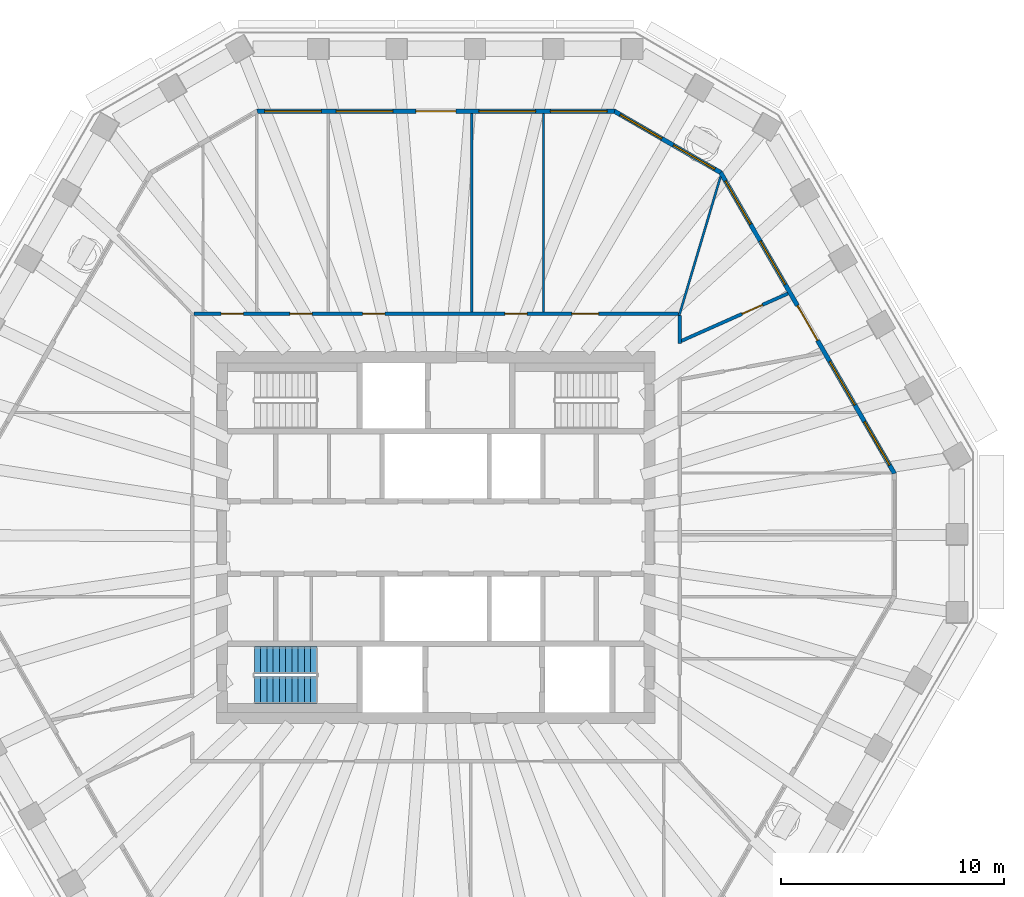
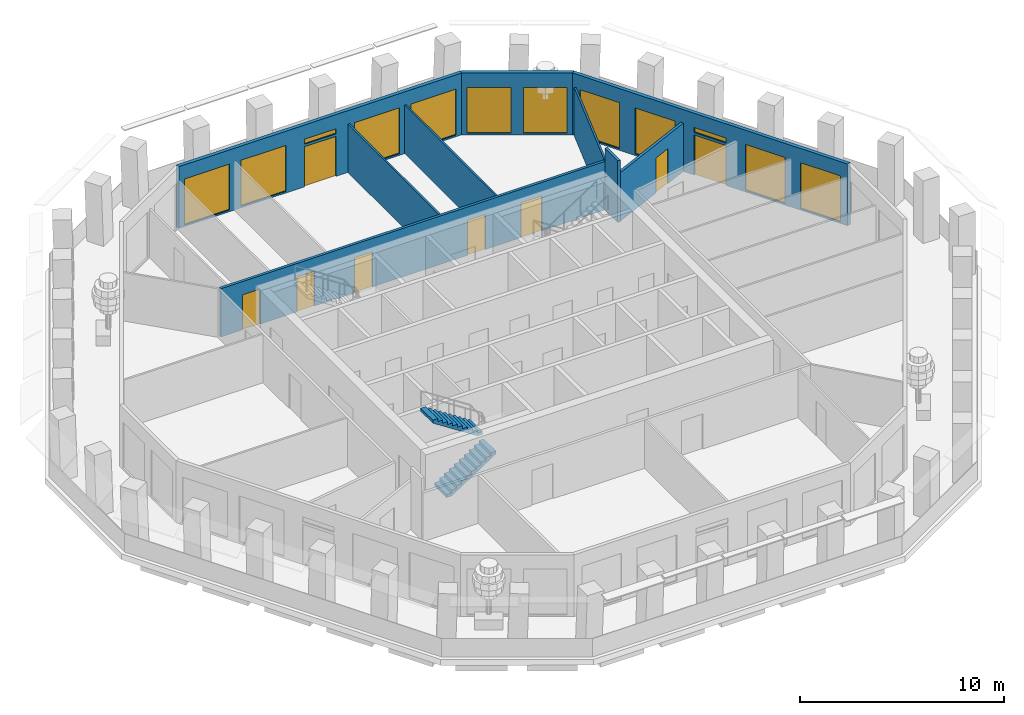
# One storey, part 7 of 12: 12 windows, 9 walls, 8 doors, 2 stair flights, 20 openings, 1 element without a shape of its own.
"""IFC4 building model written with IfcOpenShell, lengths in metres."""

from ifc_helpers import new_model, si_unit, direction, frame, frame_2d, origin, place, context, subcontext, project, spatial, polyline, rectangle, outline, extrude, material, layer, layer_set, type_object, element, fill, aggregate, save


model = new_model("IFC4")

# Units and contexts
model_context = context("Model", 3, precision=1e-05, world=origin(), true_north=direction((0.0, 1.0)))
body_context = subcontext(model_context, "Body", "Model", "MODEL_VIEW")
ifc_project = project(units=[si_unit("LENGTHUNIT", "METRE"), si_unit("AREAUNIT", "SQUARE_METRE"), si_unit("VOLUMEUNIT", "CUBIC_METRE"), si_unit("PLANEANGLEUNIT", "RADIAN"), si_unit("MASSUNIT", "GRAM", prefix="KILO")], contexts=[model_context])

# Site, building, storey
site_placement = place(None, origin())
site = spatial("IfcSite", under=ifc_project, at=site_placement, CompositionType="ELEMENT")
building_placement = place(site_placement, origin())
building = spatial("IfcBuilding", under=site, at=building_placement, Name="Frailejon Research Tower", CompositionType="ELEMENT")
storey_placement = place(building_placement, frame((0.0, 0.0, 267.0)))
storey = spatial("IfcBuildingStorey", under=building, at=storey_placement, Name="L58", CompositionType="ELEMENT", Elevation=267.0)

# Wall, opening, door
ifc_material_1 = material(Name="Gypsum board and masonry partition", Category="masonry")
ifc_layer_1 = layer(ifc_material_1, 0.14990234375)
ifc_layer_set_1 = layer_set([ifc_layer_1], Name="Corridor wall EI 60, gypsum on steel studs 150")
wall_type_1 = type_object("IfcWallType", Name="Corridor wall EI 60, gypsum on steel studs 150", PredefinedType="PARTITIONING", material=ifc_layer_set_1)
wall_1_placement = place(storey_placement, frame((11.0185546875, 8.83056640625, 0.0), z_axis=(0.0, 0.0, 1.0), x_axis=(0.91370022721, 0.406388846792, 0.0)))
wall_1 = element("IfcWall", 1, at=wall_1_placement, inside=storey, type_object=wall_type_1, Name="T:IW:L58:002", PredefinedType="PARTITIONING", context=body_context, shape_type="SweptSolid", body=[
    extrude(rectangle(XDim=5.2470703125, YDim=0.14990234375, at=frame_2d((2.62353515625, 0.0))), origin(), (0.0, 0.0, 1.0), 2.89990234375),
])
opening_1_placement = place(wall_1_placement, frame((2.99169921875, 0.0, 0.0)))
opening_1 = element("IfcOpeningElement", 2, at=opening_1_placement, cuts=wall_1, Name="Opening D2114", PredefinedType="OPENING", context=body_context, shape_type="SweptSolid", body=[
    extrude(rectangle(XDim=1.0, YDim=2.10009765625, at=frame_2d((0.5, 1.050048828125))), frame((0.0, 0.0849609375, 0.0), z_axis=(0.0, -1.0, 0.0), x_axis=(1.0, 0.0, 0.0)), (0.0, 0.0, 1.0), 0.169921875),
])
ifc_material_2 = material(Name="Timber door leaf", Category="wood")
door_type_1 = type_object("IfcDoorType", Name="Door single leaf, timber, steel frame 1000", OperationType="NOTDEFINED", PredefinedType="DOOR", material=ifc_material_2)
door_1_placement = place(opening_1_placement, origin())
door_1 = element("IfcDoor", 3, at=door_1_placement, inside=storey, type_object=door_type_1, Name="D2114", OperationType="SINGLE_SWING_LEFT", OverallHeight=2.10009765625, OverallWidth=1.0, PredefinedType="DOOR", context=body_context, shape_type="SweptSolid", body=[
    extrude(rectangle(XDim=1.0, YDim=2.10009765625, at=frame_2d((0.5, 1.050048828125))), frame((0.0, 0.02490234375, 0.0), z_axis=(0.0, -1.0, 0.0), x_axis=(1.0, 0.0, 0.0)), (0.0, 0.0, 1.0), 0.050048828125),
])
fill(opening_1, door_1)

# Wall
wall_2_placement = place(storey_placement, frame((10.949951171875, 8.72509765625, 0.0), z_axis=(0.0, 0.0, 1.0), x_axis=(0.0, 1.0, 0.0)))
element("IfcWall", 4, at=wall_2_placement, inside=storey, type_object=wall_type_1, Name="T:IW:L58:004", PredefinedType="PARTITIONING", context=body_context, shape_type="SweptSolid", body=[
    extrude(rectangle(XDim=1.25, YDim=0.14990234375, at=frame_2d((0.625, 0.0))), origin(), (0.0, 0.0, 1.0), 3.699951171875),
])

# Wall, openings, doors
wall_3_placement = place(storey_placement, frame((-10.875, 10.050048828125, 0.0), z_axis=(0.0, 0.0, 1.0), x_axis=(1.0, 0.0, 0.0)))
wall_3 = element("IfcWall", 5, at=wall_3_placement, inside=storey, type_object=wall_type_1, Name="T:IW:L58:005", PredefinedType="PARTITIONING", context=body_context, shape_type="SweptSolid", body=[
    extrude(rectangle(XDim=21.77490234375, YDim=0.14990234375, at=frame_2d((10.887451171875, 0.0))), origin(), (0.0, 0.0, 1.0), 2.89990234375),
])
opening_2_placement = place(wall_3_placement, frame((16.987060546875, 0.0, 0.0)))
opening_2 = element("IfcOpeningElement", 6, at=opening_2_placement, cuts=wall_3, Name="Opening D2115", PredefinedType="OPENING", context=body_context, shape_type="SweptSolid", body=[
    extrude(rectangle(XDim=1.199951171875, YDim=2.10009765625, at=frame_2d((0.60009765625, 1.050048828125))), frame((0.0, 0.0849609375, 0.0), z_axis=(0.0, -1.0, 0.0), x_axis=(1.0, 0.0, 0.0)), (0.0, 0.0, 1.0), 0.169921875),
])
opening_3_placement = place(wall_3_placement, frame((13.975341796875, 0.0, 0.0)))
opening_3 = element("IfcOpeningElement", 7, at=opening_3_placement, cuts=wall_3, Name="Opening D2116", PredefinedType="OPENING", context=body_context, shape_type="SweptSolid", body=[
    extrude(rectangle(XDim=1.0, YDim=2.10009765625, at=frame_2d((0.5, 1.050048828125))), frame((0.0, 0.0849609375, 0.0), z_axis=(0.0, -1.0, 0.0), x_axis=(1.0, 0.0, 0.0)), (0.0, 0.0, 1.0), 0.169921875),
])
opening_4_placement = place(wall_3_placement, frame((7.57958984375, 0.0, 0.0)))
opening_4 = element("IfcOpeningElement", 8, at=opening_4_placement, cuts=wall_3, Name="Opening D2117", PredefinedType="OPENING", context=body_context, shape_type="SweptSolid", body=[
    extrude(rectangle(XDim=1.0, YDim=2.10009765625, at=frame_2d((0.5, 1.050048828125))), frame((0.0, 0.0849609375, 0.0), z_axis=(0.0, -1.0, 0.0), x_axis=(1.0, 0.0, 0.0)), (0.0, 0.0, 1.0), 0.169921875),
])
opening_5_placement = place(wall_3_placement, frame((4.314453125, 0.0, 0.0)))
opening_5 = element("IfcOpeningElement", 9, at=opening_5_placement, cuts=wall_3, Name="Opening D2118", PredefinedType="OPENING", context=body_context, shape_type="SweptSolid", body=[
    extrude(rectangle(XDim=1.0, YDim=2.10009765625, at=frame_2d((0.5, 1.050048828125))), frame((0.0, 0.0849609375, 0.0), z_axis=(0.0, -1.0, 0.0), x_axis=(1.0, 0.0, 0.0)), (0.0, 0.0, 1.0), 0.169921875),
])
opening_6_placement = place(wall_3_placement, frame((1.22705078125, 0.0, 0.0)))
opening_6 = element("IfcOpeningElement", 10, at=opening_6_placement, cuts=wall_3, Name="Opening D2119", PredefinedType="OPENING", context=body_context, shape_type="SweptSolid", body=[
    extrude(rectangle(XDim=1.0, YDim=2.10009765625, at=frame_2d((0.5, 1.050048828125))), frame((0.0, 0.0849609375, 0.0), z_axis=(0.0, -1.0, 0.0), x_axis=(1.0, 0.0, 0.0)), (0.0, 0.0, 1.0), 0.169921875),
])
door_2_placement = place(opening_3_placement, origin())
door_2 = element("IfcDoor", 11, at=door_2_placement, inside=storey, type_object=door_type_1, Name="D2116", OperationType="SINGLE_SWING_LEFT", OverallHeight=2.10009765625, OverallWidth=1.0, PredefinedType="DOOR", context=body_context, shape_type="SweptSolid", body=[
    extrude(rectangle(XDim=1.0, YDim=2.10009765625, at=frame_2d((0.5, 1.050048828125))), frame((0.0, 0.02490234375, 0.0), z_axis=(0.0, -1.0, 0.0), x_axis=(1.0, 0.0, 0.0)), (0.0, 0.0, 1.0), 0.050048828125),
])
fill(opening_3, door_2)
door_3_placement = place(opening_4_placement, origin())
door_3 = element("IfcDoor", 12, at=door_3_placement, inside=storey, type_object=door_type_1, Name="D2117", OperationType="SINGLE_SWING_RIGHT", OverallHeight=2.10009765625, OverallWidth=1.0, PredefinedType="DOOR", context=body_context, shape_type="SweptSolid", body=[
    extrude(rectangle(XDim=1.0, YDim=2.10009765625, at=frame_2d((0.5, 1.050048828125))), frame((0.0, 0.02490234375, 0.0), z_axis=(0.0, -1.0, 0.0), x_axis=(1.0, 0.0, 0.0)), (0.0, 0.0, 1.0), 0.050048828125),
])
fill(opening_4, door_3)
door_4_placement = place(opening_5_placement, origin())
door_4 = element("IfcDoor", 13, at=door_4_placement, inside=storey, type_object=door_type_1, Name="D2118", OperationType="SINGLE_SWING_RIGHT", OverallHeight=2.10009765625, OverallWidth=1.0, PredefinedType="DOOR", context=body_context, shape_type="SweptSolid", body=[
    extrude(rectangle(XDim=1.0, YDim=2.10009765625, at=frame_2d((0.5, 1.050048828125))), frame((0.0, 0.02490234375, 0.0), z_axis=(0.0, -1.0, 0.0), x_axis=(1.0, 0.0, 0.0)), (0.0, 0.0, 1.0), 0.050048828125),
])
fill(opening_5, door_4)
door_5_placement = place(opening_6_placement, origin())
door_5 = element("IfcDoor", 14, at=door_5_placement, inside=storey, type_object=door_type_1, Name="D2119", OperationType="SINGLE_SWING_RIGHT", OverallHeight=2.10009765625, OverallWidth=1.0, PredefinedType="DOOR", context=body_context, shape_type="SweptSolid", body=[
    extrude(rectangle(XDim=1.0, YDim=2.10009765625, at=frame_2d((0.5, 1.050048828125))), frame((0.0, 0.02490234375, 0.0), z_axis=(0.0, -1.0, 0.0), x_axis=(1.0, 0.0, 0.0)), (0.0, 0.0, 1.0), 0.050048828125),
])
fill(opening_6, door_5)
ifc_material_3 = material(Name="Timber door leaf", Category="wood")
door_type_2 = type_object("IfcDoorType", Name="Door single leaf, timber, steel frame 1200", OperationType="NOTDEFINED", PredefinedType="DOOR", material=ifc_material_3)
door_6_placement = place(opening_2_placement, origin())
door_6 = element("IfcDoor", 15, at=door_6_placement, inside=storey, type_object=door_type_2, Name="D2115", OperationType="DOUBLE_DOOR_SINGLE_SWING", OverallHeight=2.10009765625, OverallWidth=1.199951171875, PredefinedType="DOOR", context=body_context, shape_type="SweptSolid", body=[
    extrude(rectangle(XDim=1.199951171875, YDim=2.10009765625, at=frame_2d((0.60009765625, 1.050048828125))), frame((0.0, 0.02490234375, 0.0), z_axis=(0.0, -1.0, 0.0), x_axis=(1.0, 0.0, 0.0)), (0.0, 0.0, 1.0), 0.050048828125),
])
fill(opening_2, door_6)

# Walls
ifc_material_4 = material(Name="Gypsum board and masonry partition", Category="masonry")
ifc_layer_2 = layer(ifc_material_4, 0.10009765625)
ifc_layer_set_2 = layer_set([ifc_layer_2], Name="Partition, gypsum on steel studs 100")
wall_type_2 = type_object("IfcWallType", Name="Partition, gypsum on steel studs 100", PredefinedType="PARTITIONING", material=ifc_layer_set_2)
wall_4_placement = place(storey_placement, frame((10.9287109375, 9.97802734375, 0.0), z_axis=(0.0, 0.0, 1.0), x_axis=(0.285517689568, 0.958373439189, 0.0)))
element("IfcWall", 16, at=wall_4_placement, inside=storey, type_object=wall_type_2, Name="T:IW:L58:016", PredefinedType="PARTITIONING", context=body_context, shape_type="SweptSolid", body=[
    extrude(rectangle(XDim=6.500244140625, YDim=0.10009765625, at=frame_2d((3.25, 0.0))), origin(), (0.0, 0.0, 1.0), 2.89990234375),
])
for number, where, z_axis, x_axis, name in (
    (17, (4.83056640625, 10.125, 0.0), (0.0, 0.0, 1.0), (0.0, 1.0, 0.0), "T:IW:L58:017"),
    (18, (1.610107421875, 10.125, 0.0), (0.0, 0.0, 1.0), (0.0, 1.0, 0.0), "T:IW:L58:018"),
):
    element("IfcWall", number, at=place(storey_placement, frame(where, z_axis=z_axis, x_axis=x_axis)), inside=storey, type_object=wall_type_2, Name=name, PredefinedType="PARTITIONING", context=body_context, shape_type="SweptSolid", body=[
        extrude(rectangle(XDim=8.925048828125, YDim=0.10009765625, at=frame_2d((4.46240234375, 0.0))), origin(), (0.0, 0.0, 1.0), 2.89990234375),
    ])

# Wall, openings, door, windows
ifc_material_5 = material(Name="Concrete C40/50 precast window wall panel", Category="concrete")
ifc_layer_3 = layer(ifc_material_5, 0.199951171875)
ifc_layer_set_3 = layer_set([ifc_layer_3], Name="Window wall 200")
wall_type_3 = type_object("IfcWallType", Name="Window wall 200", PredefinedType="SOLIDWALL", material=ifc_layer_set_3)
wall_5_placement = place(storey_placement, frame((20.596435546875, 2.87744140625, 0.0), z_axis=(0.0, 0.0, 1.0), x_axis=(-0.500008968961, 0.86602022549, 0.0)))
wall_5 = element("IfcWall", 19, at=wall_5_placement, inside=storey, type_object=wall_type_3, Name="Exterior wall L58", PredefinedType="SOLIDWALL", context=body_context, shape_type="SweptSolid", body=[
    extrude(outline(polyline([(-0.02685546875, -0.10009765625), (1.017578125, -0.10009765625), (2.06201171875, -0.10009765625), (3.1064453125, -0.10009765625), (4.15087890625, -0.10009765625), (5.1953125, -0.10009765625), (6.23974609375, -0.10009765625), (7.2841796875, -0.10009765625), (8.328369140625, -0.10009765625), (9.372802734375, -0.10009765625), (10.417236328125, -0.10009765625), (11.461669921875, -0.10009765625), (12.506103515625, -0.10009765625), (13.550537109375, -0.10009765625), (14.594970703125, -0.10009765625), (15.639404296875, -0.10009765625), (15.585693359375, 0.10009765625), (14.54833984375, 0.10009765625), (13.51123046875, 0.10009765625), (12.473876953125, 0.10009765625), (11.436767578125, 0.10009765625), (10.3994140625, 0.10009765625), (9.362060546875, 0.10009765625), (8.324951171875, 0.10009765625), (7.28759765625, 0.10009765625), (6.25048828125, 0.10009765625), (5.213134765625, 0.10009765625), (4.17578125, 0.10009765625), (3.138671875, 0.10009765625), (2.101318359375, 0.10009765625), (1.064208984375, 0.10009765625), (0.02685546875, 0.10009765625), (-0.02685546875, -0.10009765625)])), origin(), (0.0, 0.0, 1.0), 3.699951171875),
])
opening_7_placement = place(wall_5_placement, frame((0.436279296875, 0.0, 0.10009765625)))
opening_7 = element("IfcOpeningElement", 20, at=opening_7_placement, cuts=wall_5, Name="Opening W23", PredefinedType="OPENING", context=body_context, shape_type="SweptSolid", body=[
    extrude(rectangle(XDim=2.25, YDim=2.75, at=frame_2d((1.125, 1.375))), frame((0.0, 0.10986328125, 0.0), z_axis=(0.0, -1.0, 0.0), x_axis=(1.0, 0.0, 0.0)), (0.0, 0.0, 1.0), 0.219970703125),
])
opening_8_placement = place(wall_5_placement, frame((3.558837890625, 0.0, 0.10009765625)))
opening_8 = element("IfcOpeningElement", 21, at=opening_8_placement, cuts=wall_5, Name="Opening W23", PredefinedType="OPENING", context=body_context, shape_type="SweptSolid", body=[
    extrude(rectangle(XDim=2.25, YDim=2.75, at=frame_2d((1.125, 1.375))), frame((0.0, 0.10986328125, 0.0), z_axis=(0.0, -1.0, 0.0), x_axis=(1.0, 0.0, 0.0)), (0.0, 0.0, 1.0), 0.219970703125),
])
opening_9_placement = place(wall_5_placement, frame((6.90625, 0.0, 0.0)))
opening_9 = element("IfcOpeningElement", 22, at=opening_9_placement, cuts=wall_5, Name="Opening LG58-1", PredefinedType="OPENING", context=body_context, shape_type="SweptSolid", body=[
    extrude(rectangle(XDim=1.800048828125, YDim=2.39990234375, at=frame_2d((0.89990234375, 1.199951171875))), frame((0.0, 0.10986328125, 0.0), z_axis=(0.0, -1.0, 0.0), x_axis=(1.0, 0.0, 0.0)), (0.0, 0.0, 1.0), 0.219970703125),
])
opening_10_placement = place(wall_5_placement, frame((6.90625, 0.0, 2.550048828125)))
opening_10 = element("IfcOpeningElement", 23, at=opening_10_placement, cuts=wall_5, Name="Opening W24", PredefinedType="OPENING", context=body_context, shape_type="SweptSolid", body=[
    extrude(rectangle(XDim=1.800048828125, YDim=0.300048828125, at=frame_2d((0.89990234375, 0.14990234375))), frame((0.0, 0.10986328125, 0.0), z_axis=(0.0, -1.0, 0.0), x_axis=(1.0, 0.0, 0.0)), (0.0, 0.0, 1.0), 0.219970703125),
])
opening_11_placement = place(wall_5_placement, frame((9.8037109375, 0.0, 0.10009765625)))
opening_11 = element("IfcOpeningElement", 24, at=opening_11_placement, cuts=wall_5, Name="Opening W23", PredefinedType="OPENING", context=body_context, shape_type="SweptSolid", body=[
    extrude(rectangle(XDim=2.25, YDim=2.75, at=frame_2d((1.125, 1.375))), frame((0.0, 0.10986328125, 0.0), z_axis=(0.0, -1.0, 0.0), x_axis=(1.0, 0.0, 0.0)), (0.0, 0.0, 1.0), 0.219970703125),
])
opening_12_placement = place(wall_5_placement, frame((12.92626953125, 0.0, 0.10009765625)))
opening_12 = element("IfcOpeningElement", 25, at=opening_12_placement, cuts=wall_5, Name="Opening W23", PredefinedType="OPENING", context=body_context, shape_type="SweptSolid", body=[
    extrude(rectangle(XDim=2.25, YDim=2.75, at=frame_2d((1.125, 1.375))), frame((0.0, 0.10986328125, 0.0), z_axis=(0.0, -1.0, 0.0), x_axis=(1.0, 0.0, 0.0)), (0.0, 0.0, 1.0), 0.219970703125),
])
ifc_material_6 = material(Name="Aluminium framed glazed door leaf", Category="aluminium")
door_type_3 = type_object("IfcDoorType", Name="Loggia door 1800x2400", OperationType="DOUBLE_DOOR_SINGLE_SWING", PredefinedType="DOOR", material=ifc_material_6)
door_7_placement = place(opening_9_placement, origin())
door_7 = element("IfcDoor", 26, at=door_7_placement, inside=storey, type_object=door_type_3, Name="Door LG58-1", OperationType="DOUBLE_DOOR_SINGLE_SWING", OverallHeight=2.39990234375, OverallWidth=1.800048828125, PredefinedType="DOOR", context=body_context, shape_type="SweptSolid", body=[
    extrude(rectangle(XDim=1.800048828125, YDim=2.39990234375, at=frame_2d((0.89990234375, 1.199951171875))), frame((0.0, 0.02490234375, 0.0), z_axis=(0.0, -1.0, 0.0), x_axis=(1.0, 0.0, 0.0)), (0.0, 0.0, 1.0), 0.050048828125),
])
fill(opening_9, door_7)
ifc_material_7 = material(Name="Aluminium framed double glazing", Category="aluminium")
window_type_1 = type_object("IfcWindowType", Name="Window 1800x300", PartitioningType="SINGLE_PANEL", PredefinedType="WINDOW", material=ifc_material_7)
window_1_placement = place(opening_10_placement, origin())
window_1 = element("IfcWindow", 27, at=window_1_placement, inside=storey, type_object=window_type_1, Name="Window L58", OverallHeight=0.300048828125, OverallWidth=1.800048828125, PartitioningType="SINGLE_PANEL", PredefinedType="WINDOW", context=body_context, shape_type="SweptSolid", body=[
    extrude(rectangle(XDim=1.800048828125, YDim=0.300048828125, at=frame_2d((0.89990234375, 0.14990234375))), frame((0.0, 0.030029296875, 0.0), z_axis=(0.0, -1.0, 0.0), x_axis=(1.0, 0.0, 0.0)), (0.0, 0.0, 1.0), 0.06005859375),
])
fill(opening_10, window_1)
ifc_material_8 = material(Name="Aluminium framed double glazing", Category="aluminium")
window_type_2 = type_object("IfcWindowType", Name="Window 2250x2750", PartitioningType="SINGLE_PANEL", PredefinedType="WINDOW", material=ifc_material_8)
window_2_placement = place(opening_7_placement, origin())
window_2 = element("IfcWindow", 28, at=window_2_placement, inside=storey, type_object=window_type_2, Name="Window L58", OverallHeight=2.75, OverallWidth=2.25, PartitioningType="SINGLE_PANEL", PredefinedType="WINDOW", context=body_context, shape_type="SweptSolid", body=[
    extrude(rectangle(XDim=2.25, YDim=2.75, at=frame_2d((1.125, 1.375))), frame((0.0, 0.030029296875, 0.0), z_axis=(0.0, -1.0, 0.0), x_axis=(1.0, 0.0, 0.0)), (0.0, 0.0, 1.0), 0.06005859375),
])
fill(opening_7, window_2)
window_3_placement = place(opening_8_placement, origin())
window_3 = element("IfcWindow", 29, at=window_3_placement, inside=storey, type_object=window_type_2, Name="Window L58", OverallHeight=2.75, OverallWidth=2.25, PartitioningType="SINGLE_PANEL", PredefinedType="WINDOW", context=body_context, shape_type="SweptSolid", body=[
    extrude(rectangle(XDim=2.25, YDim=2.75, at=frame_2d((1.125, 1.375))), frame((0.0, 0.030029296875, 0.0), z_axis=(0.0, -1.0, 0.0), x_axis=(1.0, 0.0, 0.0)), (0.0, 0.0, 1.0), 0.06005859375),
])
fill(opening_8, window_3)
window_4_placement = place(opening_11_placement, origin())
window_4 = element("IfcWindow", 30, at=window_4_placement, inside=storey, type_object=window_type_2, Name="Window L58", OverallHeight=2.75, OverallWidth=2.25, PartitioningType="SINGLE_PANEL", PredefinedType="WINDOW", context=body_context, shape_type="SweptSolid", body=[
    extrude(rectangle(XDim=2.25, YDim=2.75, at=frame_2d((1.125, 1.375))), frame((0.0, 0.030029296875, 0.0), z_axis=(0.0, -1.0, 0.0), x_axis=(1.0, 0.0, 0.0)), (0.0, 0.0, 1.0), 0.06005859375),
])
fill(opening_11, window_4)
window_5_placement = place(opening_12_placement, origin())
window_5 = element("IfcWindow", 31, at=window_5_placement, inside=storey, type_object=window_type_2, Name="Window L58", OverallHeight=2.75, OverallWidth=2.25, PartitioningType="SINGLE_PANEL", PredefinedType="WINDOW", context=body_context, shape_type="SweptSolid", body=[
    extrude(rectangle(XDim=2.25, YDim=2.75, at=frame_2d((1.125, 1.375))), frame((0.0, 0.030029296875, 0.0), z_axis=(0.0, -1.0, 0.0), x_axis=(1.0, 0.0, 0.0)), (0.0, 0.0, 1.0), 0.06005859375),
])
fill(opening_12, window_5)

# Wall, openings, windows
wall_6_placement = place(storey_placement, frame((12.7900390625, 16.398193359375, 0.0), z_axis=(0.0, 0.0, 1.0), x_axis=(-0.866026017613, 0.499998936816, 0.0)))
wall_6 = element("IfcWall", 32, at=wall_6_placement, inside=storey, type_object=wall_type_3, Name="Exterior wall L58", PredefinedType="SOLIDWALL", context=body_context, shape_type="SweptSolid", body=[
    extrude(outline(polyline([(-0.02685546875, -0.10009765625), (1.08447265625, -0.10009765625), (2.196044921875, -0.10009765625), (3.307373046875, -0.10009765625), (4.4189453125, -0.10009765625), (5.5302734375, -0.10009765625), (5.4765625, 0.10009765625), (4.38671875, 0.10009765625), (3.296630859375, 0.10009765625), (2.206787109375, 0.10009765625), (1.11669921875, 0.10009765625), (0.02685546875, 0.10009765625), (-0.02685546875, -0.10009765625)])), origin(), (0.0, 0.0, 1.0), 3.699951171875),
])
opening_13_placement = place(wall_6_placement, frame((0.30078125, 0.0, 0.10009765625)))
opening_13 = element("IfcOpeningElement", 33, at=opening_13_placement, cuts=wall_6, Name="Opening W22", PredefinedType="OPENING", context=body_context, shape_type="SweptSolid", body=[
    extrude(rectangle(XDim=2.14990234375, YDim=2.75, at=frame_2d((1.074951171875, 1.375))), frame((0.0, 0.10986328125, 0.0), z_axis=(0.0, -1.0, 0.0), x_axis=(1.0, 0.0, 0.0)), (0.0, 0.0, 1.0), 0.219970703125),
])
opening_14_placement = place(wall_6_placement, frame((3.052490234375, 0.0, 0.10009765625)))
opening_14 = element("IfcOpeningElement", 34, at=opening_14_placement, cuts=wall_6, Name="Opening W22", PredefinedType="OPENING", context=body_context, shape_type="SweptSolid", body=[
    extrude(rectangle(XDim=2.14990234375, YDim=2.75, at=frame_2d((1.074951171875, 1.375))), frame((0.0, 0.10986328125, 0.0), z_axis=(0.0, -1.0, 0.0), x_axis=(1.0, 0.0, 0.0)), (0.0, 0.0, 1.0), 0.219970703125),
])
ifc_material_9 = material(Name="Aluminium framed double glazing", Category="aluminium")
window_type_3 = type_object("IfcWindowType", Name="Window 2150x2750", PartitioningType="SINGLE_PANEL", PredefinedType="WINDOW", material=ifc_material_9)
window_6_placement = place(opening_13_placement, origin())
window_6 = element("IfcWindow", 35, at=window_6_placement, inside=storey, type_object=window_type_3, Name="Window L58", OverallHeight=2.75, OverallWidth=2.14990234375, PartitioningType="SINGLE_PANEL", PredefinedType="WINDOW", context=body_context, shape_type="SweptSolid", body=[
    extrude(rectangle(XDim=2.14990234375, YDim=2.75, at=frame_2d((1.074951171875, 1.375))), frame((0.0, 0.030029296875, 0.0), z_axis=(0.0, -1.0, 0.0), x_axis=(1.0, 0.0, 0.0)), (0.0, 0.0, 1.0), 0.06005859375),
])
fill(opening_13, window_6)
window_7_placement = place(opening_14_placement, origin())
window_7 = element("IfcWindow", 36, at=window_7_placement, inside=storey, type_object=window_type_3, Name="Window L58", OverallHeight=2.75, OverallWidth=2.14990234375, PartitioningType="SINGLE_PANEL", PredefinedType="WINDOW", context=body_context, shape_type="SweptSolid", body=[
    extrude(rectangle(XDim=2.14990234375, YDim=2.75, at=frame_2d((1.074951171875, 1.375))), frame((0.0, 0.030029296875, 0.0), z_axis=(0.0, -1.0, 0.0), x_axis=(1.0, 0.0, 0.0)), (0.0, 0.0, 1.0), 0.06005859375),
])
fill(opening_14, window_7)

# Wall, openings, door, windows
wall_7_placement = place(storey_placement, frame((8.02392578125, 19.14990234375, 0.0), z_axis=(0.0, 0.0, 1.0), x_axis=(-1.0, 0.0, 0.0)))
wall_7 = element("IfcWall", 37, at=wall_7_placement, inside=storey, type_object=wall_type_3, Name="Exterior wall L58", PredefinedType="SOLIDWALL", context=body_context, shape_type="SweptSolid", body=[
    extrude(outline(polyline([(-0.02685546875, -0.10009765625), (0.9794921875, -0.10009765625), (1.98583984375, -0.10009765625), (2.9921875, -0.10009765625), (3.99853515625, -0.10009765625), (5.0048828125, -0.10009765625), (6.01123046875, -0.10009765625), (7.017578125, -0.10009765625), (8.02392578125, -0.10009765625), (9.0302734375, -0.10009765625), (10.03662109375, -0.10009765625), (11.04296875, -0.10009765625), (12.04931640625, -0.10009765625), (13.0556640625, -0.10009765625), (14.06201171875, -0.10009765625), (15.068359375, -0.10009765625), (16.07470703125, -0.10009765625), (16.02099609375, 0.10009765625), (15.021484375, 0.10009765625), (14.021728515625, 0.10009765625), (13.02197265625, 0.10009765625), (12.0224609375, 0.10009765625), (11.02294921875, 0.10009765625), (10.023193359375, 0.10009765625), (9.0234375, 0.10009765625), (8.02392578125, 0.10009765625), (7.0244140625, 0.10009765625), (6.024658203125, 0.10009765625), (5.02490234375, 0.10009765625), (4.025390625, 0.10009765625), (3.02587890625, 0.10009765625), (2.026123046875, 0.10009765625), (1.0263671875, 0.10009765625), (0.02685546875, 0.10009765625), (-0.02685546875, -0.10009765625)])), origin(), (0.0, 0.0, 1.0), 3.699951171875),
])
opening_15_placement = place(wall_7_placement, frame((0.329833984375, 0.0, 0.10009765625)))
opening_15 = element("IfcOpeningElement", 38, at=opening_15_placement, cuts=wall_7, Name="Opening W25", PredefinedType="OPENING", context=body_context, shape_type="SweptSolid", body=[
    extrude(rectangle(XDim=2.550048828125, YDim=2.75, at=frame_2d((1.27490234375, 1.375))), frame((0.0, 0.10986328125, 0.0), z_axis=(0.0, -1.0, 0.0), x_axis=(1.0, 0.0, 0.0)), (0.0, 0.0, 1.0), 0.219970703125),
])
opening_16_placement = place(wall_7_placement, frame((3.539306640625, 0.0, 0.10009765625)))
opening_16 = element("IfcOpeningElement", 39, at=opening_16_placement, cuts=wall_7, Name="Opening W25", PredefinedType="OPENING", context=body_context, shape_type="SweptSolid", body=[
    extrude(rectangle(XDim=2.550048828125, YDim=2.75, at=frame_2d((1.27490234375, 1.375))), frame((0.0, 0.10986328125, 0.0), z_axis=(0.0, -1.0, 0.0), x_axis=(1.0, 0.0, 0.0)), (0.0, 0.0, 1.0), 0.219970703125),
])
opening_17_placement = place(wall_7_placement, frame((7.1240234375, 0.0, 0.0)))
opening_17 = element("IfcOpeningElement", 40, at=opening_17_placement, cuts=wall_7, Name="Opening LG58-2", PredefinedType="OPENING", context=body_context, shape_type="SweptSolid", body=[
    extrude(rectangle(XDim=1.800048828125, YDim=2.39990234375, at=frame_2d((0.89990234375, 1.199951171875))), frame((0.0, 0.10986328125, 0.0), z_axis=(0.0, -1.0, 0.0), x_axis=(1.0, 0.0, 0.0)), (0.0, 0.0, 1.0), 0.219970703125),
])
opening_18_placement = place(wall_7_placement, frame((7.1240234375, 0.0, 2.550048828125)))
opening_18 = element("IfcOpeningElement", 41, at=opening_18_placement, cuts=wall_7, Name="Opening W24", PredefinedType="OPENING", context=body_context, shape_type="SweptSolid", body=[
    extrude(rectangle(XDim=1.800048828125, YDim=0.300048828125, at=frame_2d((0.89990234375, 0.14990234375))), frame((0.0, 0.10986328125, 0.0), z_axis=(0.0, -1.0, 0.0), x_axis=(1.0, 0.0, 0.0)), (0.0, 0.0, 1.0), 0.219970703125),
])
opening_19_placement = place(wall_7_placement, frame((9.95849609375, 0.0, 0.10009765625)))
opening_19 = element("IfcOpeningElement", 42, at=opening_19_placement, cuts=wall_7, Name="Opening W25", PredefinedType="OPENING", context=body_context, shape_type="SweptSolid", body=[
    extrude(rectangle(XDim=2.550048828125, YDim=2.75, at=frame_2d((1.27490234375, 1.375))), frame((0.0, 0.10986328125, 0.0), z_axis=(0.0, -1.0, 0.0), x_axis=(1.0, 0.0, 0.0)), (0.0, 0.0, 1.0), 0.219970703125),
])
opening_20_placement = place(wall_7_placement, frame((13.168212890625, 0.0, 0.10009765625)))
opening_20 = element("IfcOpeningElement", 43, at=opening_20_placement, cuts=wall_7, Name="Opening W25", PredefinedType="OPENING", context=body_context, shape_type="SweptSolid", body=[
    extrude(rectangle(XDim=2.550048828125, YDim=2.75, at=frame_2d((1.27490234375, 1.375))), frame((0.0, 0.10986328125, 0.0), z_axis=(0.0, -1.0, 0.0), x_axis=(1.0, 0.0, 0.0)), (0.0, 0.0, 1.0), 0.219970703125),
])
door_8_placement = place(opening_17_placement, origin())
door_8 = element("IfcDoor", 44, at=door_8_placement, inside=storey, type_object=door_type_3, Name="Door LG58-2", OperationType="DOUBLE_DOOR_SINGLE_SWING", OverallHeight=2.39990234375, OverallWidth=1.800048828125, PredefinedType="DOOR", context=body_context, shape_type="SweptSolid", body=[
    extrude(rectangle(XDim=1.800048828125, YDim=2.39990234375, at=frame_2d((0.89990234375, 1.199951171875))), frame((0.0, 0.02490234375, 0.0), z_axis=(0.0, -1.0, 0.0), x_axis=(1.0, 0.0, 0.0)), (0.0, 0.0, 1.0), 0.050048828125),
])
fill(opening_17, door_8)
window_8_placement = place(opening_18_placement, origin())
window_8 = element("IfcWindow", 45, at=window_8_placement, inside=storey, type_object=window_type_1, Name="Window L58", OverallHeight=0.300048828125, OverallWidth=1.800048828125, PartitioningType="SINGLE_PANEL", PredefinedType="WINDOW", context=body_context, shape_type="SweptSolid", body=[
    extrude(rectangle(XDim=1.800048828125, YDim=0.300048828125, at=frame_2d((0.89990234375, 0.14990234375))), frame((0.0, 0.030029296875, 0.0), z_axis=(0.0, -1.0, 0.0), x_axis=(1.0, 0.0, 0.0)), (0.0, 0.0, 1.0), 0.06005859375),
])
fill(opening_18, window_8)
ifc_material_10 = material(Name="Aluminium framed double glazing", Category="aluminium")
window_type_4 = type_object("IfcWindowType", Name="Window 2550x2750", PartitioningType="SINGLE_PANEL", PredefinedType="WINDOW", material=ifc_material_10)
window_9_placement = place(opening_15_placement, origin())
window_9 = element("IfcWindow", 46, at=window_9_placement, inside=storey, type_object=window_type_4, Name="Window L58", OverallHeight=2.75, OverallWidth=2.550048828125, PartitioningType="SINGLE_PANEL", PredefinedType="WINDOW", context=body_context, shape_type="SweptSolid", body=[
    extrude(rectangle(XDim=2.550048828125, YDim=2.75, at=frame_2d((1.27490234375, 1.375))), frame((0.0, 0.030029296875, 0.0), z_axis=(0.0, -1.0, 0.0), x_axis=(1.0, 0.0, 0.0)), (0.0, 0.0, 1.0), 0.06005859375),
])
fill(opening_15, window_9)
window_10_placement = place(opening_16_placement, origin())
window_10 = element("IfcWindow", 47, at=window_10_placement, inside=storey, type_object=window_type_4, Name="Window L58", OverallHeight=2.75, OverallWidth=2.550048828125, PartitioningType="SINGLE_PANEL", PredefinedType="WINDOW", context=body_context, shape_type="SweptSolid", body=[
    extrude(rectangle(XDim=2.550048828125, YDim=2.75, at=frame_2d((1.27490234375, 1.375))), frame((0.0, 0.030029296875, 0.0), z_axis=(0.0, -1.0, 0.0), x_axis=(1.0, 0.0, 0.0)), (0.0, 0.0, 1.0), 0.06005859375),
])
fill(opening_16, window_10)
window_11_placement = place(opening_19_placement, origin())
window_11 = element("IfcWindow", 48, at=window_11_placement, inside=storey, type_object=window_type_4, Name="Window L58", OverallHeight=2.75, OverallWidth=2.550048828125, PartitioningType="SINGLE_PANEL", PredefinedType="WINDOW", context=body_context, shape_type="SweptSolid", body=[
    extrude(rectangle(XDim=2.550048828125, YDim=2.75, at=frame_2d((1.27490234375, 1.375))), frame((0.0, 0.030029296875, 0.0), z_axis=(0.0, -1.0, 0.0), x_axis=(1.0, 0.0, 0.0)), (0.0, 0.0, 1.0), 0.06005859375),
])
fill(opening_19, window_11)
window_12_placement = place(opening_20_placement, origin())
window_12 = element("IfcWindow", 49, at=window_12_placement, inside=storey, type_object=window_type_4, Name="Window L58", OverallHeight=2.75, OverallWidth=2.550048828125, PartitioningType="SINGLE_PANEL", PredefinedType="WINDOW", context=body_context, shape_type="SweptSolid", body=[
    extrude(rectangle(XDim=2.550048828125, YDim=2.75, at=frame_2d((1.27490234375, 1.375))), frame((0.0, 0.030029296875, 0.0), z_axis=(0.0, -1.0, 0.0), x_axis=(1.0, 0.0, 0.0)), (0.0, 0.0, 1.0), 0.06005859375),
])
fill(opening_20, window_12)

# Stair, stair flights
ifc_material_11 = material(Name="Concrete C50/60", Category="concrete")
stair_type = type_object("IfcStairType", Name="Exit stair 22 risers", PredefinedType="HALF_TURN_STAIR", material=ifc_material_11)
stair_placement = place(storey_placement, origin())
stair = element("IfcStair", 50, at=stair_placement, inside=storey, type_object=stair_type, Name="L58 Exit stair ST2", PredefinedType="HALF_TURN_STAIR")
ifc_material_12 = material(Name="Concrete C50/60", Category="concrete")
ifc_layer_4 = layer(ifc_material_12, 0.14990234375)
ifc_layer_set_4 = layer_set([ifc_layer_4], Name="Stair flight 11 risers")
stair_flight_type = type_object("IfcStairFlightType", Name="Stair flight 11 risers", PredefinedType="STRAIGHT", material=ifc_layer_set_4)
stair_flight_1_placement = place(storey_placement, frame((-8.14990234375, -6.85009765625, 0.0), z_axis=(0.0, 0.0, 1.0), x_axis=(1.0, 0.0, 0.0)))
stair_flight_1 = element("IfcStairFlight", 51, at=stair_flight_1_placement, type_object=stair_flight_type, Name="ST2 flight 1", NumberOfRisers=11, NumberOfTreads=10, PredefinedType="STRAIGHT", RiserHeight=0.181818182, TreadLength=0.28, context=body_context, shape_type="SweptSolid", body=[
    extrude(outline(polyline([(0.0, 0.0), (0.0, 0.181884765625), (0.280029296875, 0.181884765625), (0.280029296875, 0.363525390625), (0.56005859375, 0.363525390625), (0.56005859375, 0.54541015625), (0.840087890625, 0.54541015625), (0.840087890625, 0.727294921875), (1.1201171875, 0.727294921875), (1.1201171875, 0.9091796875), (1.39990234375, 0.9091796875), (1.39990234375, 1.0908203125), (1.679931640625, 1.0908203125), (1.679931640625, 1.272705078125), (1.9599609375, 1.272705078125), (1.9599609375, 1.45458984375), (2.239990234375, 1.45458984375), (2.239990234375, 1.636474609375), (2.52001953125, 1.636474609375), (2.52001953125, 1.818115234375), (2.800048828125, 1.818115234375), (2.800048828125, 2.0), (2.800048828125, 1.639404296875), (0.275146484375, 0.0), (0.0, 0.0)])), frame((0.0, 0.60009765625, 0.0), z_axis=(0.0, -1.0, 0.0), x_axis=(1.0, 0.0, 0.0)), (0.0, 0.0, 1.0), 1.199951171875),
])
stair_flight_2_placement = place(storey_placement, frame((-5.35009765625, -5.5, 2.0), z_axis=(0.0, 0.0, 1.0), x_axis=(-1.0, 0.0, 0.0)))
stair_flight_2 = element("IfcStairFlight", 52, at=stair_flight_2_placement, type_object=stair_flight_type, Name="ST2 flight 2", NumberOfRisers=11, NumberOfTreads=10, PredefinedType="STRAIGHT", RiserHeight=0.181818182, TreadLength=0.28, context=body_context, shape_type="SweptSolid", body=[
    extrude(outline(polyline([(0.0, 0.0), (0.0, 0.181884765625), (0.280029296875, 0.181884765625), (0.280029296875, 0.363525390625), (0.56005859375, 0.363525390625), (0.56005859375, 0.54541015625), (0.840087890625, 0.54541015625), (0.840087890625, 0.727294921875), (1.1201171875, 0.727294921875), (1.1201171875, 0.9091796875), (1.39990234375, 0.9091796875), (1.39990234375, 1.0908203125), (1.679931640625, 1.0908203125), (1.679931640625, 1.272705078125), (1.9599609375, 1.272705078125), (1.9599609375, 1.45458984375), (2.239990234375, 1.45458984375), (2.239990234375, 1.636474609375), (2.52001953125, 1.636474609375), (2.52001953125, 1.818115234375), (2.800048828125, 1.818115234375), (2.800048828125, 2.0), (2.800048828125, 1.639404296875), (0.275146484375, 0.0), (0.0, 0.0)])), frame((0.0, 0.60009765625, 0.0), z_axis=(0.0, -1.0, 0.0), x_axis=(1.0, 0.0, 0.0)), (0.0, 0.0, 1.0), 1.199951171875),
])
aggregate(stair, [stair_flight_1, stair_flight_2])

save(model, "model.ifc")
